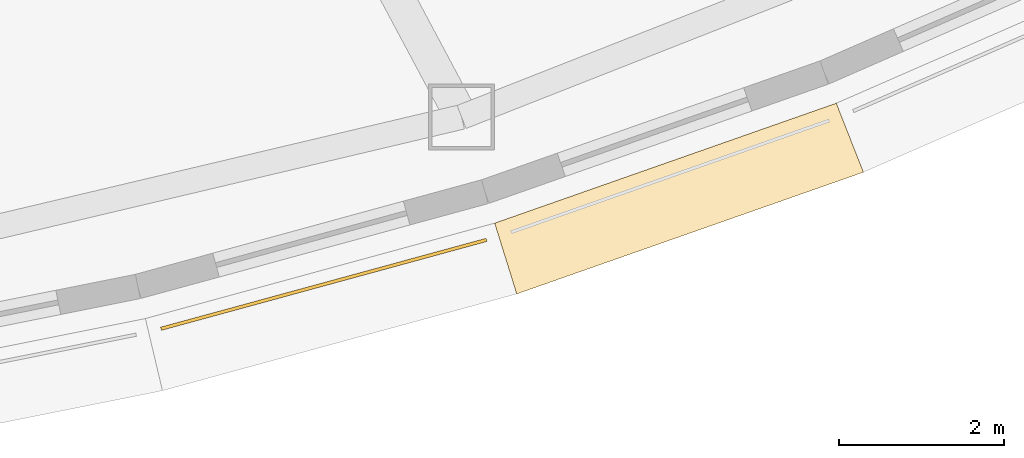
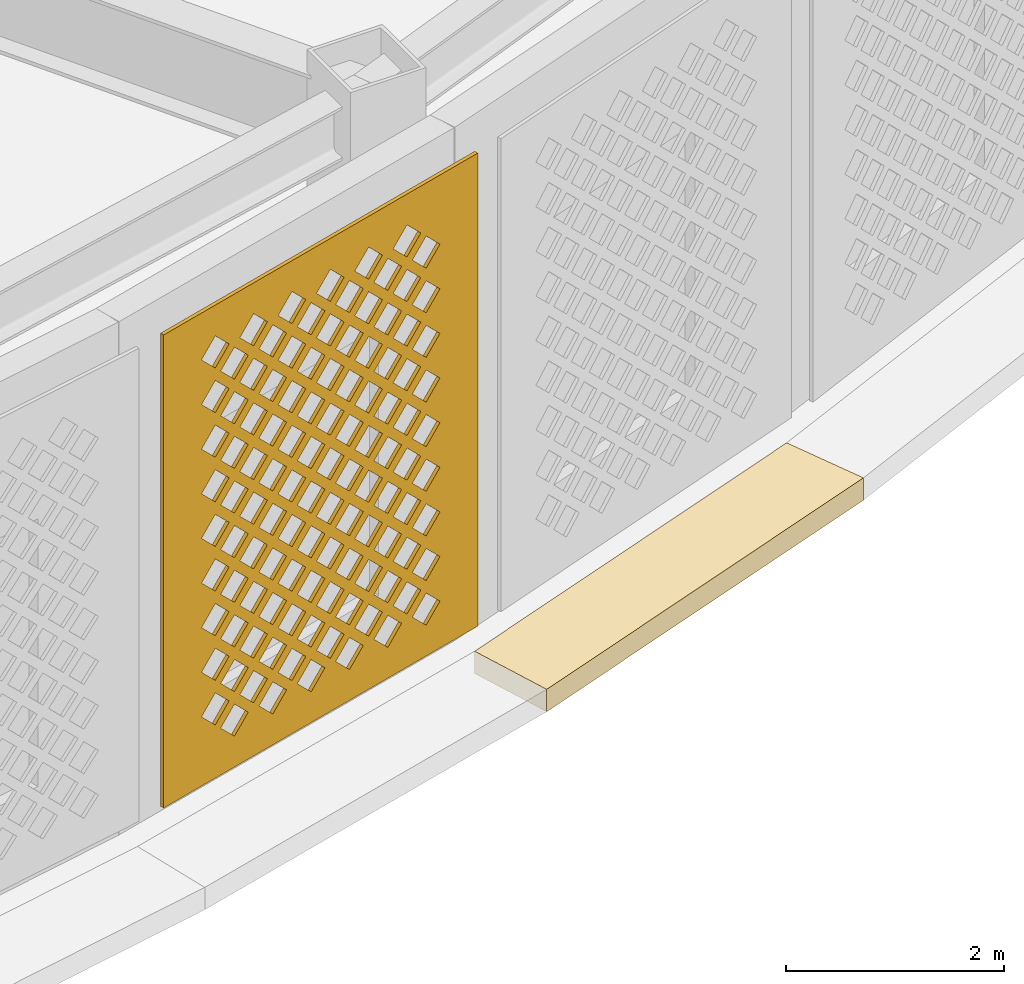
# One storey, part 62 of 74: 2 coverings.
"""IFC4 building model written with IfcOpenShell, lengths in metres."""

from ifc_helpers import new_model, si_unit, direction, frame, origin, place, context, subcontext, project, spatial, polyline, outline, extrude, material, layer, layer_set, type_object, element, save


model = new_model("IFC4")

# Units and contexts
model_context = context("Model", 3, precision=1e-05, world=origin(), true_north=direction((0.0, 1.0)))
body_context = subcontext(model_context, "Body", "Model", "MODEL_VIEW")
ifc_project = project(units=[si_unit("LENGTHUNIT", "METRE"), si_unit("AREAUNIT", "SQUARE_METRE"), si_unit("VOLUMEUNIT", "CUBIC_METRE"), si_unit("PLANEANGLEUNIT", "RADIAN"), si_unit("MASSUNIT", "GRAM", prefix="KILO")], contexts=[model_context])

# Site, building, storey
site_placement = place(None, origin())
site = spatial("IfcSite", under=ifc_project, at=site_placement, CompositionType="ELEMENT")
building_placement = place(site_placement, origin())
building = spatial("IfcBuilding", under=site, at=building_placement, Name="Noorbagh Ring Tower", CompositionType="ELEMENT")
storey_placement = place(building_placement, frame((0.0, 0.0, 13.5)))
storey = spatial("IfcBuildingStorey", under=building, at=storey_placement, Name="L02", CompositionType="ELEMENT", Elevation=13.5)

# Coverings
ifc_material_1 = material(Name="Red sandstone eave", Category="masonry")
covering_type_1 = type_object("IfcCoveringType", Name="STY-CHHAJJA", PredefinedType="USERDEFINED", material=ifc_material_1)
covering_1_placement = place(storey_placement, frame((0.0, 0.0, -0.25)))
element("IfcCovering", 1, at=covering_1_placement, inside=storey, type_object=covering_type_1, Name="Chhajja eave", ObjectType="CHHAJJA", PredefinedType="USERDEFINED", context=body_context, shape_type="SweptSolid", body=[
    extrude(outline(polyline([(19.49853515625, -37.081298828125), (23.647216796875, -35.624755859375), (23.976806640625, -36.462890625), (19.7666015625, -37.941162109375), (19.49853515625, -37.081298828125)])), origin(), (0.0, 0.0, 1.0), 0.25),
])
ifc_material_2 = material(Name="Red sandstone jali", Category="masonry")
ifc_layer = layer(ifc_material_2, 0.0400390625)
ifc_layer_set = layer_set([ifc_layer], Name="Red sandstone jali")
covering_type_2 = type_object("IfcCoveringType", Name="STY-JALI", PredefinedType="USERDEFINED", material=ifc_layer_set)
covering_2_placement = place(storey_placement, frame((15.45166015625, -38.38330078125, 0.449951171875), z_axis=(0.26339977228, -0.964686767797, 0.0), x_axis=(0.964686767797, 0.26339977228, 0.0)))
element("IfcCovering", 2, at=covering_2_placement, inside=storey, type_object=covering_type_2, Name="Jali screen", ObjectType="SCREEN", PredefinedType="USERDEFINED", context=body_context, shape_type="SweptSolid", body=[
    extrude(outline(polyline([(0.0, 0.0), (4.096923828125, 0.0), (4.096923828125, 5.300048828125), (0.0, 5.300048828125), (0.0, 0.0)]), holes=[polyline([(0.743408203125, 0.52490234375), (0.923583984375, 0.344970703125), (1.103515625, 0.52490234375), (0.923583984375, 0.705078125), (0.743408203125, 0.52490234375)]), polyline([(1.243408203125, 0.52490234375), (1.423583984375, 0.344970703125), (1.603515625, 0.52490234375), (1.423583984375, 0.705078125), (1.243408203125, 0.52490234375)]), polyline([(1.743408203125, 0.52490234375), (1.923583984375, 0.344970703125), (2.103515625, 0.52490234375), (1.923583984375, 0.705078125), (1.743408203125, 0.52490234375)]), polyline([(2.243408203125, 0.52490234375), (2.423583984375, 0.344970703125), (2.603515625, 0.52490234375), (2.423583984375, 0.705078125), (2.243408203125, 0.52490234375)]), polyline([(2.743408203125, 0.52490234375), (2.923583984375, 0.344970703125), (3.103515625, 0.52490234375), (2.923583984375, 0.705078125), (2.743408203125, 0.52490234375)]), polyline([(3.243408203125, 0.52490234375), (3.423583984375, 0.344970703125), (3.603515625, 0.52490234375), (3.423583984375, 0.705078125), (3.243408203125, 0.52490234375)]), polyline([(0.493408203125, 0.77490234375), (0.673583984375, 0.594970703125), (0.853515625, 0.77490234375), (0.673583984375, 0.955078125), (0.493408203125, 0.77490234375)]), polyline([(0.993408203125, 0.77490234375), (1.173583984375, 0.594970703125), (1.353515625, 0.77490234375), (1.173583984375, 0.955078125), (0.993408203125, 0.77490234375)]), polyline([(1.493408203125, 0.77490234375), (1.673583984375, 0.594970703125), (1.853515625, 0.77490234375), (1.673583984375, 0.955078125), (1.493408203125, 0.77490234375)]), polyline([(1.993408203125, 0.77490234375), (2.173583984375, 0.594970703125), (2.353515625, 0.77490234375), (2.173583984375, 0.955078125), (1.993408203125, 0.77490234375)]), polyline([(2.493408203125, 0.77490234375), (2.673583984375, 0.594970703125), (2.853515625, 0.77490234375), (2.673583984375, 0.955078125), (2.493408203125, 0.77490234375)]), polyline([(2.993408203125, 0.77490234375), (3.173583984375, 0.594970703125), (3.353515625, 0.77490234375), (3.173583984375, 0.955078125), (2.993408203125, 0.77490234375)]), polyline([(0.743408203125, 1.02490234375), (0.923583984375, 0.844970703125), (1.103515625, 1.02490234375), (0.923583984375, 1.205078125), (0.743408203125, 1.02490234375)]), polyline([(1.243408203125, 1.02490234375), (1.423583984375, 0.844970703125), (1.603515625, 1.02490234375), (1.423583984375, 1.205078125), (1.243408203125, 1.02490234375)]), polyline([(1.743408203125, 1.02490234375), (1.923583984375, 0.844970703125), (2.103515625, 1.02490234375), (1.923583984375, 1.205078125), (1.743408203125, 1.02490234375)]), polyline([(2.243408203125, 1.02490234375), (2.423583984375, 0.844970703125), (2.603515625, 1.02490234375), (2.423583984375, 1.205078125), (2.243408203125, 1.02490234375)]), polyline([(2.743408203125, 1.02490234375), (2.923583984375, 0.844970703125), (3.103515625, 1.02490234375), (2.923583984375, 1.205078125), (2.743408203125, 1.02490234375)]), polyline([(3.243408203125, 1.02490234375), (3.423583984375, 0.844970703125), (3.603515625, 1.02490234375), (3.423583984375, 1.205078125), (3.243408203125, 1.02490234375)]), polyline([(0.493408203125, 1.27490234375), (0.673583984375, 1.094970703125), (0.853515625, 1.27490234375), (0.673583984375, 1.455078125), (0.493408203125, 1.27490234375)]), polyline([(0.993408203125, 1.27490234375), (1.173583984375, 1.094970703125), (1.353515625, 1.27490234375), (1.173583984375, 1.455078125), (0.993408203125, 1.27490234375)]), polyline([(1.493408203125, 1.27490234375), (1.673583984375, 1.094970703125), (1.853515625, 1.27490234375), (1.673583984375, 1.455078125), (1.493408203125, 1.27490234375)]), polyline([(1.993408203125, 1.27490234375), (2.173583984375, 1.094970703125), (2.353515625, 1.27490234375), (2.173583984375, 1.455078125), (1.993408203125, 1.27490234375)]), polyline([(2.493408203125, 1.27490234375), (2.673583984375, 1.094970703125), (2.853515625, 1.27490234375), (2.673583984375, 1.455078125), (2.493408203125, 1.27490234375)]), polyline([(2.993408203125, 1.27490234375), (3.173583984375, 1.094970703125), (3.353515625, 1.27490234375), (3.173583984375, 1.455078125), (2.993408203125, 1.27490234375)]), polyline([(0.743408203125, 1.52490234375), (0.923583984375, 1.344970703125), (1.103515625, 1.52490234375), (0.923583984375, 1.705078125), (0.743408203125, 1.52490234375)]), polyline([(1.243408203125, 1.52490234375), (1.423583984375, 1.344970703125), (1.603515625, 1.52490234375), (1.423583984375, 1.705078125), (1.243408203125, 1.52490234375)]), polyline([(1.743408203125, 1.52490234375), (1.923583984375, 1.344970703125), (2.103515625, 1.52490234375), (1.923583984375, 1.705078125), (1.743408203125, 1.52490234375)]), polyline([(2.243408203125, 1.52490234375), (2.423583984375, 1.344970703125), (2.603515625, 1.52490234375), (2.423583984375, 1.705078125), (2.243408203125, 1.52490234375)]), polyline([(2.743408203125, 1.52490234375), (2.923583984375, 1.344970703125), (3.103515625, 1.52490234375), (2.923583984375, 1.705078125), (2.743408203125, 1.52490234375)]), polyline([(3.243408203125, 1.52490234375), (3.423583984375, 1.344970703125), (3.603515625, 1.52490234375), (3.423583984375, 1.705078125), (3.243408203125, 1.52490234375)]), polyline([(0.493408203125, 1.77490234375), (0.673583984375, 1.594970703125), (0.853515625, 1.77490234375), (0.673583984375, 1.955078125), (0.493408203125, 1.77490234375)]), polyline([(0.993408203125, 1.77490234375), (1.173583984375, 1.594970703125), (1.353515625, 1.77490234375), (1.173583984375, 1.955078125), (0.993408203125, 1.77490234375)]), polyline([(1.493408203125, 1.77490234375), (1.673583984375, 1.594970703125), (1.853515625, 1.77490234375), (1.673583984375, 1.955078125), (1.493408203125, 1.77490234375)]), polyline([(1.993408203125, 1.77490234375), (2.173583984375, 1.594970703125), (2.353515625, 1.77490234375), (2.173583984375, 1.955078125), (1.993408203125, 1.77490234375)]), polyline([(2.493408203125, 1.77490234375), (2.673583984375, 1.594970703125), (2.853515625, 1.77490234375), (2.673583984375, 1.955078125), (2.493408203125, 1.77490234375)]), polyline([(2.993408203125, 1.77490234375), (3.173583984375, 1.594970703125), (3.353515625, 1.77490234375), (3.173583984375, 1.955078125), (2.993408203125, 1.77490234375)]), polyline([(0.743408203125, 2.02490234375), (0.923583984375, 1.844970703125), (1.103515625, 2.02490234375), (0.923583984375, 2.205078125), (0.743408203125, 2.02490234375)]), polyline([(1.243408203125, 2.02490234375), (1.423583984375, 1.844970703125), (1.603515625, 2.02490234375), (1.423583984375, 2.205078125), (1.243408203125, 2.02490234375)]), polyline([(1.743408203125, 2.02490234375), (1.923583984375, 1.844970703125), (2.103515625, 2.02490234375), (1.923583984375, 2.205078125), (1.743408203125, 2.02490234375)]), polyline([(2.243408203125, 2.02490234375), (2.423583984375, 1.844970703125), (2.603515625, 2.02490234375), (2.423583984375, 2.205078125), (2.243408203125, 2.02490234375)]), polyline([(2.743408203125, 2.02490234375), (2.923583984375, 1.844970703125), (3.103515625, 2.02490234375), (2.923583984375, 2.205078125), (2.743408203125, 2.02490234375)]), polyline([(3.243408203125, 2.02490234375), (3.423583984375, 1.844970703125), (3.603515625, 2.02490234375), (3.423583984375, 2.205078125), (3.243408203125, 2.02490234375)]), polyline([(0.493408203125, 2.27490234375), (0.673583984375, 2.094970703125), (0.853515625, 2.27490234375), (0.673583984375, 2.455078125), (0.493408203125, 2.27490234375)]), polyline([(0.993408203125, 2.27490234375), (1.173583984375, 2.094970703125), (1.353515625, 2.27490234375), (1.173583984375, 2.455078125), (0.993408203125, 2.27490234375)]), polyline([(1.493408203125, 2.27490234375), (1.673583984375, 2.094970703125), (1.853515625, 2.27490234375), (1.673583984375, 2.455078125), (1.493408203125, 2.27490234375)]), polyline([(1.993408203125, 2.27490234375), (2.173583984375, 2.094970703125), (2.353515625, 2.27490234375), (2.173583984375, 2.455078125), (1.993408203125, 2.27490234375)]), polyline([(2.493408203125, 2.27490234375), (2.673583984375, 2.094970703125), (2.853515625, 2.27490234375), (2.673583984375, 2.455078125), (2.493408203125, 2.27490234375)]), polyline([(2.993408203125, 2.27490234375), (3.173583984375, 2.094970703125), (3.353515625, 2.27490234375), (3.173583984375, 2.455078125), (2.993408203125, 2.27490234375)]), polyline([(0.743408203125, 2.52490234375), (0.923583984375, 2.344970703125), (1.103515625, 2.52490234375), (0.923583984375, 2.705078125), (0.743408203125, 2.52490234375)]), polyline([(1.243408203125, 2.52490234375), (1.423583984375, 2.344970703125), (1.603515625, 2.52490234375), (1.423583984375, 2.705078125), (1.243408203125, 2.52490234375)]), polyline([(1.743408203125, 2.52490234375), (1.923583984375, 2.344970703125), (2.103515625, 2.52490234375), (1.923583984375, 2.705078125), (1.743408203125, 2.52490234375)]), polyline([(2.243408203125, 2.52490234375), (2.423583984375, 2.344970703125), (2.603515625, 2.52490234375), (2.423583984375, 2.705078125), (2.243408203125, 2.52490234375)]), polyline([(2.743408203125, 2.52490234375), (2.923583984375, 2.344970703125), (3.103515625, 2.52490234375), (2.923583984375, 2.705078125), (2.743408203125, 2.52490234375)]), polyline([(3.243408203125, 2.52490234375), (3.423583984375, 2.344970703125), (3.603515625, 2.52490234375), (3.423583984375, 2.705078125), (3.243408203125, 2.52490234375)]), polyline([(0.493408203125, 2.77490234375), (0.673583984375, 2.594970703125), (0.853515625, 2.77490234375), (0.673583984375, 2.955078125), (0.493408203125, 2.77490234375)]), polyline([(0.993408203125, 2.77490234375), (1.173583984375, 2.594970703125), (1.353515625, 2.77490234375), (1.173583984375, 2.955078125), (0.993408203125, 2.77490234375)]), polyline([(1.493408203125, 2.77490234375), (1.673583984375, 2.594970703125), (1.853515625, 2.77490234375), (1.673583984375, 2.955078125), (1.493408203125, 2.77490234375)]), polyline([(1.993408203125, 2.77490234375), (2.173583984375, 2.594970703125), (2.353515625, 2.77490234375), (2.173583984375, 2.955078125), (1.993408203125, 2.77490234375)]), polyline([(2.493408203125, 2.77490234375), (2.673583984375, 2.594970703125), (2.853515625, 2.77490234375), (2.673583984375, 2.955078125), (2.493408203125, 2.77490234375)]), polyline([(2.993408203125, 2.77490234375), (3.173583984375, 2.594970703125), (3.353515625, 2.77490234375), (3.173583984375, 2.955078125), (2.993408203125, 2.77490234375)]), polyline([(0.743408203125, 3.02490234375), (0.923583984375, 2.844970703125), (1.103515625, 3.02490234375), (0.923583984375, 3.205078125), (0.743408203125, 3.02490234375)]), polyline([(1.243408203125, 3.02490234375), (1.423583984375, 2.844970703125), (1.603515625, 3.02490234375), (1.423583984375, 3.205078125), (1.243408203125, 3.02490234375)]), polyline([(1.743408203125, 3.02490234375), (1.923583984375, 2.844970703125), (2.103515625, 3.02490234375), (1.923583984375, 3.205078125), (1.743408203125, 3.02490234375)]), polyline([(2.243408203125, 3.02490234375), (2.423583984375, 2.844970703125), (2.603515625, 3.02490234375), (2.423583984375, 3.205078125), (2.243408203125, 3.02490234375)]), polyline([(2.743408203125, 3.02490234375), (2.923583984375, 2.844970703125), (3.103515625, 3.02490234375), (2.923583984375, 3.205078125), (2.743408203125, 3.02490234375)]), polyline([(3.243408203125, 3.02490234375), (3.423583984375, 2.844970703125), (3.603515625, 3.02490234375), (3.423583984375, 3.205078125), (3.243408203125, 3.02490234375)]), polyline([(0.493408203125, 3.27490234375), (0.673583984375, 3.094970703125), (0.853515625, 3.27490234375), (0.673583984375, 3.455078125), (0.493408203125, 3.27490234375)]), polyline([(0.993408203125, 3.27490234375), (1.173583984375, 3.094970703125), (1.353515625, 3.27490234375), (1.173583984375, 3.455078125), (0.993408203125, 3.27490234375)]), polyline([(1.493408203125, 3.27490234375), (1.673583984375, 3.094970703125), (1.853515625, 3.27490234375), (1.673583984375, 3.455078125), (1.493408203125, 3.27490234375)]), polyline([(1.993408203125, 3.27490234375), (2.173583984375, 3.094970703125), (2.353515625, 3.27490234375), (2.173583984375, 3.455078125), (1.993408203125, 3.27490234375)]), polyline([(2.493408203125, 3.27490234375), (2.673583984375, 3.094970703125), (2.853515625, 3.27490234375), (2.673583984375, 3.455078125), (2.493408203125, 3.27490234375)]), polyline([(2.993408203125, 3.27490234375), (3.173583984375, 3.094970703125), (3.353515625, 3.27490234375), (3.173583984375, 3.455078125), (2.993408203125, 3.27490234375)]), polyline([(0.743408203125, 3.52490234375), (0.923583984375, 3.344970703125), (1.103515625, 3.52490234375), (0.923583984375, 3.705078125), (0.743408203125, 3.52490234375)]), polyline([(1.243408203125, 3.52490234375), (1.423583984375, 3.344970703125), (1.603515625, 3.52490234375), (1.423583984375, 3.705078125), (1.243408203125, 3.52490234375)]), polyline([(1.743408203125, 3.52490234375), (1.923583984375, 3.344970703125), (2.103515625, 3.52490234375), (1.923583984375, 3.705078125), (1.743408203125, 3.52490234375)]), polyline([(2.243408203125, 3.52490234375), (2.423583984375, 3.344970703125), (2.603515625, 3.52490234375), (2.423583984375, 3.705078125), (2.243408203125, 3.52490234375)]), polyline([(2.743408203125, 3.52490234375), (2.923583984375, 3.344970703125), (3.103515625, 3.52490234375), (2.923583984375, 3.705078125), (2.743408203125, 3.52490234375)]), polyline([(3.243408203125, 3.52490234375), (3.423583984375, 3.344970703125), (3.603515625, 3.52490234375), (3.423583984375, 3.705078125), (3.243408203125, 3.52490234375)]), polyline([(0.493408203125, 3.77490234375), (0.673583984375, 3.594970703125), (0.853515625, 3.77490234375), (0.673583984375, 3.955078125), (0.493408203125, 3.77490234375)]), polyline([(0.993408203125, 3.77490234375), (1.173583984375, 3.594970703125), (1.353515625, 3.77490234375), (1.173583984375, 3.955078125), (0.993408203125, 3.77490234375)]), polyline([(1.493408203125, 3.77490234375), (1.673583984375, 3.594970703125), (1.853515625, 3.77490234375), (1.673583984375, 3.955078125), (1.493408203125, 3.77490234375)]), polyline([(1.993408203125, 3.77490234375), (2.173583984375, 3.594970703125), (2.353515625, 3.77490234375), (2.173583984375, 3.955078125), (1.993408203125, 3.77490234375)]), polyline([(2.493408203125, 3.77490234375), (2.673583984375, 3.594970703125), (2.853515625, 3.77490234375), (2.673583984375, 3.955078125), (2.493408203125, 3.77490234375)]), polyline([(2.993408203125, 3.77490234375), (3.173583984375, 3.594970703125), (3.353515625, 3.77490234375), (3.173583984375, 3.955078125), (2.993408203125, 3.77490234375)]), polyline([(0.743408203125, 4.02490234375), (0.923583984375, 3.844970703125), (1.103515625, 4.02490234375), (0.923583984375, 4.205078125), (0.743408203125, 4.02490234375)]), polyline([(1.243408203125, 4.02490234375), (1.423583984375, 3.844970703125), (1.603515625, 4.02490234375), (1.423583984375, 4.205078125), (1.243408203125, 4.02490234375)]), polyline([(1.743408203125, 4.02490234375), (1.923583984375, 3.844970703125), (2.103515625, 4.02490234375), (1.923583984375, 4.205078125), (1.743408203125, 4.02490234375)]), polyline([(2.243408203125, 4.02490234375), (2.423583984375, 3.844970703125), (2.603515625, 4.02490234375), (2.423583984375, 4.205078125), (2.243408203125, 4.02490234375)]), polyline([(2.743408203125, 4.02490234375), (2.923583984375, 3.844970703125), (3.103515625, 4.02490234375), (2.923583984375, 4.205078125), (2.743408203125, 4.02490234375)]), polyline([(3.243408203125, 4.02490234375), (3.423583984375, 3.844970703125), (3.603515625, 4.02490234375), (3.423583984375, 4.205078125), (3.243408203125, 4.02490234375)]), polyline([(0.493408203125, 4.27490234375), (0.673583984375, 4.094970703125), (0.853515625, 4.27490234375), (0.673583984375, 4.455078125), (0.493408203125, 4.27490234375)]), polyline([(0.993408203125, 4.27490234375), (1.173583984375, 4.094970703125), (1.353515625, 4.27490234375), (1.173583984375, 4.455078125), (0.993408203125, 4.27490234375)]), polyline([(1.493408203125, 4.27490234375), (1.673583984375, 4.094970703125), (1.853515625, 4.27490234375), (1.673583984375, 4.455078125), (1.493408203125, 4.27490234375)]), polyline([(1.993408203125, 4.27490234375), (2.173583984375, 4.094970703125), (2.353515625, 4.27490234375), (2.173583984375, 4.455078125), (1.993408203125, 4.27490234375)]), polyline([(2.493408203125, 4.27490234375), (2.673583984375, 4.094970703125), (2.853515625, 4.27490234375), (2.673583984375, 4.455078125), (2.493408203125, 4.27490234375)]), polyline([(2.993408203125, 4.27490234375), (3.173583984375, 4.094970703125), (3.353515625, 4.27490234375), (3.173583984375, 4.455078125), (2.993408203125, 4.27490234375)]), polyline([(0.743408203125, 4.52490234375), (0.923583984375, 4.344970703125), (1.103515625, 4.52490234375), (0.923583984375, 4.705078125), (0.743408203125, 4.52490234375)]), polyline([(1.243408203125, 4.52490234375), (1.423583984375, 4.344970703125), (1.603515625, 4.52490234375), (1.423583984375, 4.705078125), (1.243408203125, 4.52490234375)]), polyline([(1.743408203125, 4.52490234375), (1.923583984375, 4.344970703125), (2.103515625, 4.52490234375), (1.923583984375, 4.705078125), (1.743408203125, 4.52490234375)]), polyline([(2.243408203125, 4.52490234375), (2.423583984375, 4.344970703125), (2.603515625, 4.52490234375), (2.423583984375, 4.705078125), (2.243408203125, 4.52490234375)]), polyline([(2.743408203125, 4.52490234375), (2.923583984375, 4.344970703125), (3.103515625, 4.52490234375), (2.923583984375, 4.705078125), (2.743408203125, 4.52490234375)]), polyline([(3.243408203125, 4.52490234375), (3.423583984375, 4.344970703125), (3.603515625, 4.52490234375), (3.423583984375, 4.705078125), (3.243408203125, 4.52490234375)]), polyline([(0.493408203125, 4.77490234375), (0.673583984375, 4.594970703125), (0.853515625, 4.77490234375), (0.673583984375, 4.955078125), (0.493408203125, 4.77490234375)]), polyline([(0.993408203125, 4.77490234375), (1.173583984375, 4.594970703125), (1.353515625, 4.77490234375), (1.173583984375, 4.955078125), (0.993408203125, 4.77490234375)]), polyline([(1.493408203125, 4.77490234375), (1.673583984375, 4.594970703125), (1.853515625, 4.77490234375), (1.673583984375, 4.955078125), (1.493408203125, 4.77490234375)]), polyline([(1.993408203125, 4.77490234375), (2.173583984375, 4.594970703125), (2.353515625, 4.77490234375), (2.173583984375, 4.955078125), (1.993408203125, 4.77490234375)]), polyline([(2.493408203125, 4.77490234375), (2.673583984375, 4.594970703125), (2.853515625, 4.77490234375), (2.673583984375, 4.955078125), (2.493408203125, 4.77490234375)]), polyline([(2.993408203125, 4.77490234375), (3.173583984375, 4.594970703125), (3.353515625, 4.77490234375), (3.173583984375, 4.955078125), (2.993408203125, 4.77490234375)])]), origin(), (0.0, 0.0, -1.0), 0.0400390625),
])

save(model, "model.ifc")
